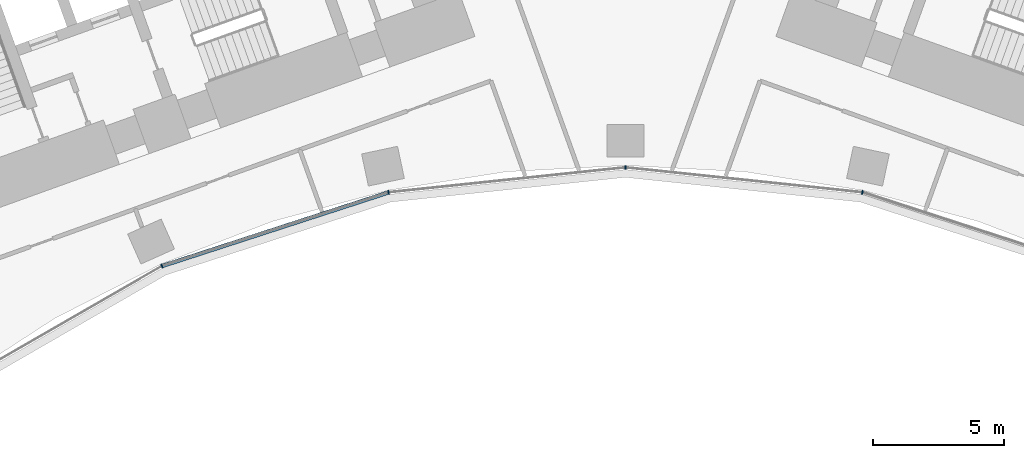
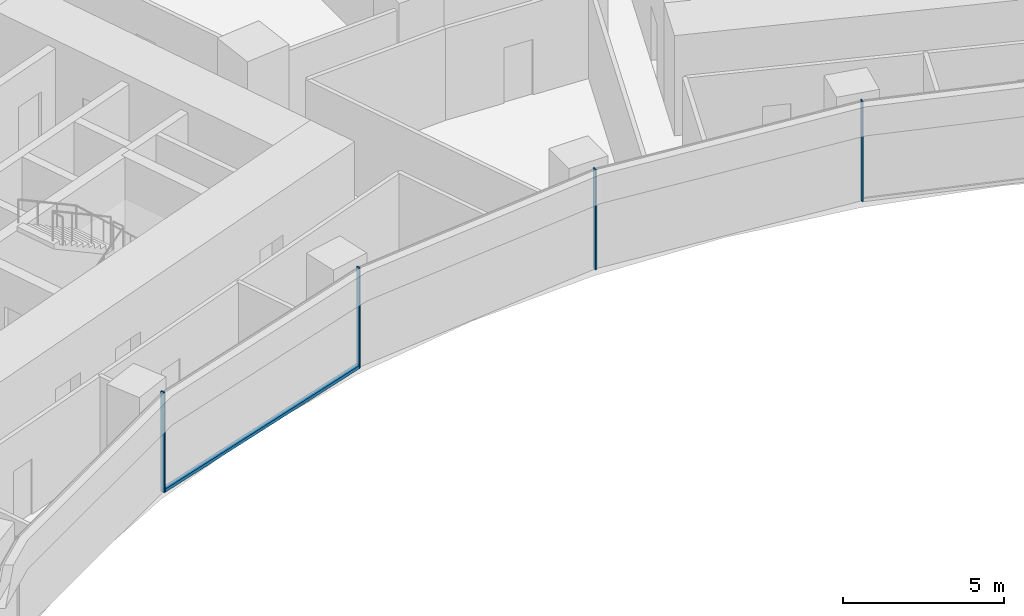
# One storey, part 5 of 21: 5 members, 1 element without a shape of its own.
"""IFC4 building model written with IfcOpenShell, lengths in metres."""

from ifc_helpers import new_model, si_unit, direction, frame, origin, origin_2d, place, context, subcontext, project, spatial, rectangle, extrude, material, layer, layer_set, material_profile, profile_set, type_object, element, aggregate, save


model = new_model("IFC4")

# Units and contexts
model_context = context("Model", 3, precision=1e-05, world=origin(), true_north=direction((0.0, 1.0)))
body_context = subcontext(model_context, "Body", "Model", "MODEL_VIEW")
ifc_project = project(units=[si_unit("LENGTHUNIT", "METRE"), si_unit("AREAUNIT", "SQUARE_METRE"), si_unit("VOLUMEUNIT", "CUBIC_METRE"), si_unit("PLANEANGLEUNIT", "RADIAN"), si_unit("MASSUNIT", "GRAM", prefix="KILO")], contexts=[model_context])

# Site, building, storey
site_placement = place(None, origin())
site = spatial("IfcSite", under=ifc_project, at=site_placement, CompositionType="ELEMENT")
building_placement = place(site_placement, origin())
building = spatial("IfcBuilding", under=site, at=building_placement, Name="Stone Belt Terrace Tower", CompositionType="ELEMENT")
storey_placement = place(building_placement, frame((0.0, 0.0, 49.0)))
storey = spatial("IfcBuildingStorey", under=building, at=storey_placement, Name="L11", CompositionType="ELEMENT", Elevation=49.0)

# Curtain wall, members
ifc_material = material(Name="Aluminium 6063-T6 anodised frame", Category="aluminium")
ifc_layer = layer(ifc_material, 0.14990234375)
ifc_layer_set = layer_set([ifc_layer], Name="CW-B unitised concave-face curtain wall")
curtain_wall_type = type_object("IfcCurtainWallType", Name="CW-B unitised concave-face curtain wall", PredefinedType="NOTDEFINED", material=ifc_layer_set)
curtain_wall_placement = place(storey_placement, origin())
curtain_wall = element("IfcCurtainWall", 1, at=curtain_wall_placement, inside=storey, type_object=curtain_wall_type, Name="CW-B concave face L11", PredefinedType="NOTDEFINED")
ifc_material_profile_1 = material_profile(ifc_material, rectangle(XDim=0.14990234375, YDim=0.050048828125, at=origin_2d()), Name="Aluminium 6063-T6 50x150")
ifc_profile_set_1 = profile_set([ifc_material_profile_1], Name="Aluminium 6063-T6 anodised frame")
member_type_1 = type_object("IfcMemberType", Name="CW-B mullion 50 x 150", PredefinedType="MULLION", material=ifc_profile_set_1)
member_1_placement = place(storey_placement, frame((-17.662353515625, 39.67041015625, 0.0), z_axis=(0.0, 0.0, 1.0), x_axis=(-0.406736643076, 0.913545457643, 0.0)))
member_1 = element("IfcMember", 2, at=member_1_placement, type_object=member_type_1, Name="CW-B mullion 4", PredefinedType="MULLION", context=body_context, shape_type="SweptSolid", body=[
    extrude(rectangle(XDim=0.14990234375, YDim=0.050048828125, at=origin_2d()), origin(), (0.0, 0.0, 1.0), 3.800048828125),
])
member_2_placement = place(storey_placement, frame((-9.028564453125, 42.4755859375, 0.0), z_axis=(0.0, 0.0, 1.0), x_axis=(-0.207911690818, 0.978147600734, 0.0)))
member_2 = element("IfcMember", 3, at=member_2_placement, type_object=member_type_1, Name="CW-B mullion 5", PredefinedType="MULLION", context=body_context, shape_type="SweptSolid", body=[
    extrude(rectangle(XDim=0.14990234375, YDim=0.050048828125, at=origin_2d()), origin(), (0.0, 0.0, 1.0), 3.800048828125),
])
member_3_placement = place(storey_placement, frame((0.0, 43.424560546875, 0.0), z_axis=(0.0, 0.0, 1.0), x_axis=(0.0, 1.0, 0.0)))
member_3 = element("IfcMember", 4, at=member_3_placement, type_object=member_type_1, Name="CW-B mullion 6", PredefinedType="MULLION", context=body_context, shape_type="SweptSolid", body=[
    extrude(rectangle(XDim=0.14990234375, YDim=0.050048828125, at=origin_2d()), origin(), (0.0, 0.0, 1.0), 3.800048828125),
])
member_4_placement = place(storey_placement, frame((9.028564453125, 42.4755859375, 0.0), z_axis=(0.0, 0.0, 1.0), x_axis=(0.207911690818, 0.978147600734, 0.0)))
member_4 = element("IfcMember", 5, at=member_4_placement, type_object=member_type_1, Name="CW-B mullion 7", PredefinedType="MULLION", context=body_context, shape_type="SweptSolid", body=[
    extrude(rectangle(XDim=0.14990234375, YDim=0.050048828125, at=origin_2d()), origin(), (0.0, 0.0, 1.0), 3.800048828125),
])
ifc_material_profile_2 = material_profile(ifc_material, rectangle(XDim=0.14990234375, YDim=0.1201171875, at=origin_2d()), Name="Aluminium 6063-T6 150x120")
ifc_profile_set_2 = profile_set([ifc_material_profile_2], Name="Aluminium 6063-T6 anodised frame")
member_type_2 = type_object("IfcMemberType", Name="CW-B transom 120 x 150", PredefinedType="USERDEFINED", material=ifc_profile_set_2)
member_5_placement = place(storey_placement, frame((-17.63134765625, 39.680419921875, 0.06005859375), z_axis=(0.951055963285, 0.309018696359, 0.0), x_axis=(-0.309018696359, 0.951055963285, 0.0)))
member_5 = element("IfcMember", 6, at=member_5_placement, type_object=member_type_2, Name="CW-B transom 4.1", ObjectType="TRANSOM", PredefinedType="USERDEFINED", context=body_context, shape_type="SweptSolid", body=[
    extrude(rectangle(XDim=0.14990234375, YDim=0.1201171875, at=origin_2d()), origin(), (0.0, 0.0, 1.0), 9.012939453125),
])
aggregate(curtain_wall, [member_1, member_2, member_3, member_4, member_5])

save(model, "model.ifc")
